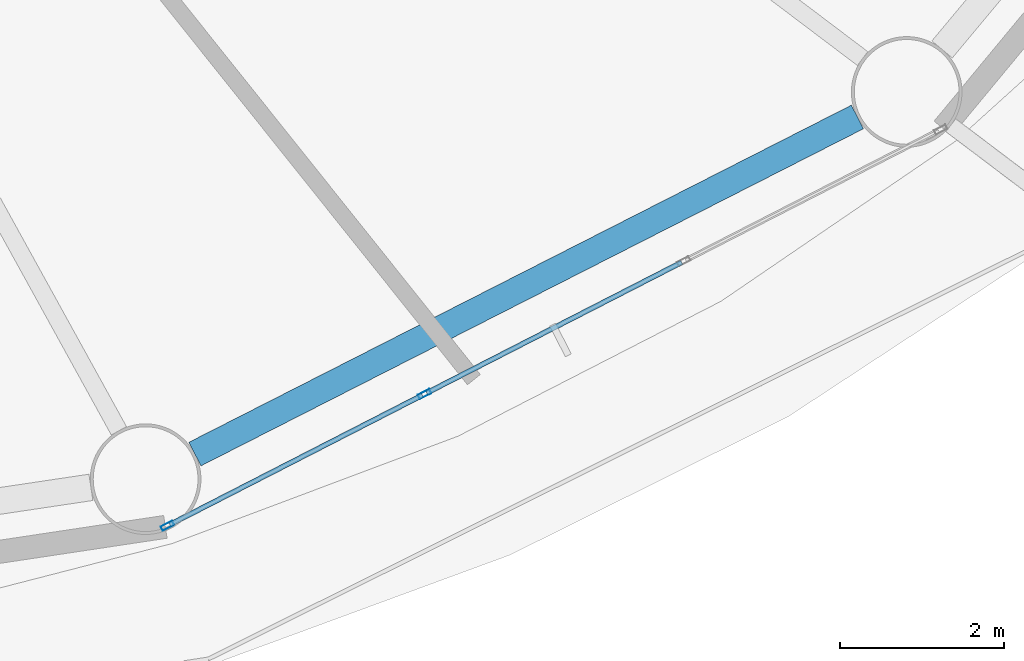
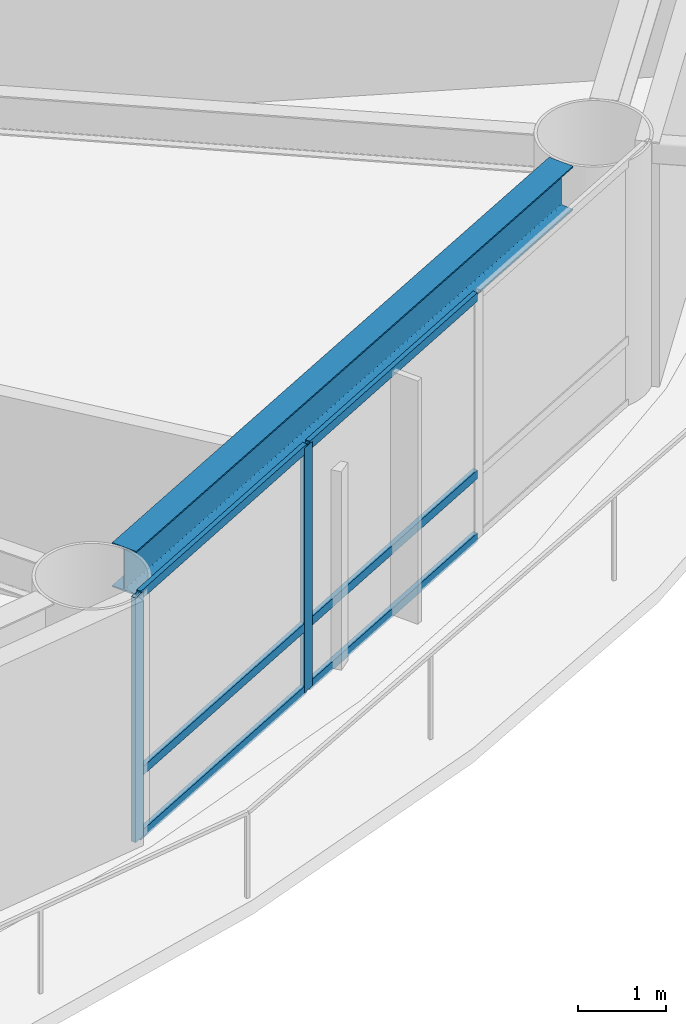
# One storey, part 4 of 24: 8 members, 1 beam, 1 element without a shape of its own.
"""IFC4 building model written with IfcOpenShell, lengths in metres."""

import ifcopenshell
import ifcopenshell.guid

model = None  # the IFC model being written
_history = None  # IfcOwnerHistory: only IFC2X3 demands one
_inside = {}  # id of a spatial element -> (the spatial element, [elements in it])
_under = {}  # id of a project, library or spatial element -> (it, [spatial elements below it])
_declared = {}  # id of a project -> (the project, [libraries it declares])
_typed = {}  # id of a type object -> (the type object, [elements of that type])
_made_of = {}  # id of a material, layer set ... -> (it, [elements and type objects made of it])


def new_model(schema):
    """Start an empty IFC model of exactly this schema.

    Asked for "IFC4X3", IfcOpenShell would pick the latest addendum, in which some entities
    have other attributes; the version numbers below select the first issue.
    IFC2X3 requires an IfcOwnerHistory on every rooted entity: one is made here for all.
    """
    global model, _history
    if schema == "IFC4X3":
        model = ifcopenshell.file(schema_version=(4, 3, 0, 0))
    else:
        model = ifcopenshell.file(schema=schema)
    _inside.clear()
    _under.clear()
    _declared.clear()
    _typed.clear()
    _made_of.clear()
    _history = None
    if model.schema == "IFC2X3":
        org = make("IfcOrganization", Name="unknown")
        user = make(
            "IfcPersonAndOrganization",
            ThePerson=make("IfcPerson", FamilyName="unknown"),
            TheOrganization=org,
        )
        app = make(
            "IfcApplication",
            ApplicationDeveloper=org,
            Version="unknown",
            ApplicationFullName="unknown",
            ApplicationIdentifier="unknown",
        )
        _history = make(
            "IfcOwnerHistory",
            OwningUser=user,
            OwningApplication=app,
            ChangeAction="ADDED",
            CreationDate=0,
        )
    return model


def make(cls, **values):
    """One entity of the class cls with the attributes given. An attribute that is None is left unset."""
    return model.create_entity(
        cls, **{name: value for name, value in values.items() if value is not None}
    )


def rooted(cls, **values):
    """An entity with a GlobalId (a new one), such as an element, a storey or a relation."""
    return make(cls, GlobalId=ifcopenshell.guid.new(), OwnerHistory=_history, **values)


def si_unit(unit_type, name, prefix=None):
    """IfcSIUnit, for example si_unit("LENGTHUNIT", "METRE", prefix="MILLI")."""
    return make("IfcSIUnit", UnitType=unit_type, Prefix=prefix, Name=name)


def assignment(units):
    """IfcUnitAssignment: the units of a project."""
    return None if units is None else make("IfcUnitAssignment", Units=units)


def point(xyz):
    """IfcCartesianPoint."""
    return None if xyz is None else make("IfcCartesianPoint", Coordinates=xyz)


def direction(xyz):
    """IfcDirection."""
    return None if xyz is None else make("IfcDirection", DirectionRatios=xyz)


def frame(location, z_axis=None, x_axis=None):
    """IfcAxis2Placement3D, a coordinate frame: its origin and axes. An axis left out is left unset."""
    return make(
        "IfcAxis2Placement3D",
        Location=point(location),
        Axis=direction(z_axis),
        RefDirection=direction(x_axis),
    )


def frame_2d(location, x_axis=None):
    """IfcAxis2Placement2D, a coordinate frame in the plane: its origin and x axis."""
    return make(
        "IfcAxis2Placement2D", Location=point(location), RefDirection=direction(x_axis)
    )


def origin():
    """The frame at (0, 0, 0) with its axes left unset."""
    return frame((0.0, 0.0, 0.0))


def origin_2d():
    """The frame at (0, 0) in the plane with its x axis left unset."""
    return frame_2d((0.0, 0.0))


def place(relative_to, where):
    """IfcLocalPlacement: puts the frame where relative to a parent placement (None: the world)."""
    return make(
        "IfcLocalPlacement", PlacementRelTo=relative_to, RelativePlacement=where
    )


def context(
    kind, dimensions, precision=None, world=None, true_north=None, identifier=None
):
    """IfcGeometricRepresentationContext, for example the 3D "Model" context."""
    return make(
        "IfcGeometricRepresentationContext",
        ContextIdentifier=identifier,
        ContextType=kind,
        CoordinateSpaceDimension=dimensions,
        Precision=precision,
        WorldCoordinateSystem=world,
        TrueNorth=true_north,
    )


def subcontext(parent, identifier, kind, view, scale=None):
    """IfcGeometricRepresentationSubContext, for example "Body" below "Model"."""
    return make(
        "IfcGeometricRepresentationSubContext",
        ContextIdentifier=identifier,
        ContextType=kind,
        ParentContext=parent,
        TargetScale=scale,
        TargetView=view,
    )


def project(units=None, contexts=None):
    """IfcProject with its units and contexts."""
    return rooted(
        "IfcProject",
        Name="project",
        RepresentationContexts=contexts,
        UnitsInContext=assignment(units),
    )


def spatial(cls, under=None, at=None, **own):
    """A site, building, storey or space (cls), placed at a placement, below another one or the project."""
    s = rooted(cls, ObjectPlacement=at, **own)
    if under is not None:
        _under.setdefault(under.id(), (under, []))[1].append(s)
    return s


def profile(cls, at=None, kind="AREA", **sizes):
    """A parametric profile (cls). Its sizes go by their IFC names, for example OverallWidth=200.0."""
    return make(cls, ProfileType=kind, Position=at, **sizes)


def hollow_rectangle(**sizes):
    """IfcRectangleHollowProfileDef."""
    return profile("IfcRectangleHollowProfileDef", **sizes)


def i_section(**sizes):
    """IfcIShapeProfileDef."""
    return profile("IfcIShapeProfileDef", **sizes)


def extrude(swept, where, along, depth):
    """IfcExtrudedAreaSolid: the profile swept, set in the frame where, extruded along a direction by depth."""
    return make(
        "IfcExtrudedAreaSolid",
        SweptArea=swept,
        Position=where,
        ExtrudedDirection=direction(along),
        Depth=depth,
    )


def shape(context_of_items, identifier, shape_type, items):
    """IfcShapeRepresentation: the items that make up one representation, for example the "Body"."""
    return make(
        "IfcShapeRepresentation",
        ContextOfItems=context_of_items,
        RepresentationIdentifier=identifier,
        RepresentationType=shape_type,
        Items=items,
    )


def material(Name=None, Category=None):
    """IfcMaterial."""
    return make("IfcMaterial", Name=Name, Category=Category)


def layer(
    of_material, thickness, ventilated=None, Name=None, Category=None, Priority=None
):
    """IfcMaterialLayer: one layer of a wall or slab, of a material (None: an air gap)."""
    return make(
        "IfcMaterialLayer",
        Material=of_material,
        LayerThickness=thickness,
        IsVentilated=ventilated,
        Name=Name,
        Category=Category,
        Priority=Priority,
    )


def layer_set(layers, Name=None):
    """IfcMaterialLayerSet."""
    return make("IfcMaterialLayerSet", MaterialLayers=layers, LayerSetName=Name)


def material_profile(
    of_material, cross_section, Name=None, Category=None, Priority=None
):
    """IfcMaterialProfile: a cross section and its material."""
    return make(
        "IfcMaterialProfile",
        Name=Name,
        Material=of_material,
        Profile=cross_section,
        Priority=Priority,
        Category=Category,
    )


def profile_set(profiles, Name=None, composite=None):
    """IfcMaterialProfileSet."""
    return make(
        "IfcMaterialProfileSet",
        Name=Name,
        MaterialProfiles=profiles,
        CompositeProfile=composite,
    )


def made_of(thing, what):
    """Note that an element or type object is made of a material, layer set ...; save() writes the relation."""
    if what is not None:
        _made_of.setdefault(what.id(), (what, []))[1].append(thing)
    return thing


def type_object(cls, material=None, **own):
    """A type object (cls), such as IfcWallType, which elements share."""
    return made_of(rooted(cls, **own), material)


def element(
    cls,
    number,
    at=None,
    inside=None,
    cuts=None,
    type_object=None,
    material=None,
    context=None,
    identifier="Body",
    shape_type=None,
    held_by="IfcProductDefinitionShape",
    body=None,
    shapes=None,
    **own,
):
    """One element of the class cls, such as IfcWall. Its Tag is "e" and its number.

    at: its placement. inside: the storey or other place that contains it. cuts: it is an
    opening in that element (IfcRelVoidsElement). A single representation is given by context,
    identifier, shape_type and body (its items); several are given by shapes. held_by: the class
    of the entity that holds the representations. save() writes the other relations.
    """
    e = rooted(cls, Tag="e%d" % number, ObjectPlacement=at, **own)
    if body is not None:
        shapes = [shape(context, identifier, shape_type, body)]
    if shapes is not None:
        e.Representation = make(held_by, Representations=shapes)
    if inside is not None:
        _inside.setdefault(inside.id(), (inside, []))[1].append(e)
    if cuts is not None:
        rooted(
            "IfcRelVoidsElement", RelatingBuildingElement=cuts, RelatedOpeningElement=e
        )
    if type_object is not None:
        _typed.setdefault(type_object.id(), (type_object, []))[1].append(e)
    return made_of(e, material)


def aggregate(whole, parts):
    """IfcRelAggregates: a whole, such as a stair, and the parts it consists of."""
    return rooted("IfcRelAggregates", RelatingObject=whole, RelatedObjects=parts)


def save(model, path):
    """Write the relations noted so far, then the file.

    IfcRelAggregates (storeys below a building ...), IfcRelContainedInSpatialStructure (elements
    in a storey), IfcRelDefinesByType, IfcRelAssociatesMaterial and IfcRelDeclares: one each for
    every whole, place, type object, material and project.
    """
    for whole, parts in _under.values():
        aggregate(whole, parts)
    for where, things in _inside.values():
        rooted(
            "IfcRelContainedInSpatialStructure",
            RelatedElements=things,
            RelatingStructure=where,
        )
    for kind, things in _typed.values():
        rooted("IfcRelDefinesByType", RelatedObjects=things, RelatingType=kind)
    for what, things in _made_of.values():
        rooted("IfcRelAssociatesMaterial", RelatedObjects=things, RelatingMaterial=what)
    for by, libraries in _declared.values():
        rooted("IfcRelDeclares", RelatingContext=by, RelatedDefinitions=libraries)
    model.write(path)


model = new_model("IFC4")

# Units and contexts
model_context = context("Model", 3, precision=1e-05, world=origin(), true_north=direction((0.0, 1.0)))
body_context = subcontext(model_context, "Body", "Model", "MODEL_VIEW")
ifc_project = project(units=[si_unit("LENGTHUNIT", "METRE"), si_unit("AREAUNIT", "SQUARE_METRE"), si_unit("VOLUMEUNIT", "CUBIC_METRE"), si_unit("PLANEANGLEUNIT", "RADIAN"), si_unit("MASSUNIT", "GRAM", prefix="KILO")], contexts=[model_context])

# Site, building, storey
site_placement = place(None, origin())
site = spatial("IfcSite", under=ifc_project, at=site_placement, CompositionType="ELEMENT")
building_placement = place(site_placement, origin())
building = spatial("IfcBuilding", under=site, at=building_placement, Name="Sarneth Arch Tower", CompositionType="ELEMENT")
storey_placement = place(building_placement, frame((0.0, 0.0, 91.199951171875)))
storey = spatial("IfcBuildingStorey", under=building, at=storey_placement, Name="L22", CompositionType="ELEMENT", Elevation=91.199951171875)

# Beam
ifc_material_1 = material(Name="Steel S355", Category="steel")
ifc_material_profile_1 = material_profile(ifc_material_1, i_section(OverallWidth=0.323974609375, OverallDepth=0.611083984375, WebThickness=0.0126953125, FlangeThickness=0.01904296875, FilletRadius=0.01904296875, at=origin_2d()), Name="W610x155")
ifc_profile_set_1 = profile_set([ifc_material_profile_1], Name="Steel S355")
beam_type = type_object("IfcBeamType", Name="BM-SPAN-610B", PredefinedType="SPANDREL", material=ifc_profile_set_1)
beam_placement = place(storey_placement, frame((59.7119140625, 22.16552734375, 3.074462890625), z_axis=(0.891255891792, 0.453500755619, 0.0), x_axis=(-0.453500755619, 0.891255891792, 0.0)))
element("IfcBeam", 1, at=beam_placement, inside=storey, type_object=beam_type, Name="L22 Perimeter spandrel beam 14", PredefinedType="SPANDREL", context=body_context, shape_type="SweptSolid", body=[
    extrude(i_section(OverallWidth=0.323974609375, OverallDepth=0.611083984375, WebThickness=0.0126953125, FlangeThickness=0.01904296875, FilletRadius=0.01904296875, at=origin_2d()), origin(), (0.0, 0.0, 1.0), 9.070556640625),
])

# Curtain wall, members
ifc_material_2 = material(Name="Anodised aluminium Type AA25 and solar-control low-e laminated IGU", Category="aluminium")
ifc_layer = layer(ifc_material_2, 0.159912109375)
ifc_layer_set = layer_set([ifc_layer], Name="Anodised aluminium Type AA25 and solar-control low-e laminated IGU")
curtain_wall_type = type_object("IfcCurtainWallType", Name="CW-HOTEL-MID", PredefinedType="NOTDEFINED", material=ifc_layer_set)
curtain_wall_placement = place(storey_placement, origin())
curtain_wall = element("IfcCurtainWall", 2, at=curtain_wall_placement, inside=storey, type_object=curtain_wall_type, Name="L22 Unitised curtain wall facet 14", PredefinedType="NOTDEFINED")
ifc_material_3 = material(Name="Anodised Aluminium 6063-T6", Category="aluminium")
ifc_material_profile_2 = material_profile(ifc_material_3, hollow_rectangle(XDim=0.06005859375, YDim=0.159912109375, WallThickness=0.00390625, at=origin_2d()), Name="AL-MULL-160x60x4")
ifc_profile_set_2 = profile_set([ifc_material_profile_2], Name="Anodised Aluminium 6063-T6")
member_type_1 = type_object("IfcMemberType", Name="CW-MULLION", PredefinedType="MULLION", material=ifc_profile_set_2)
member_1_placement = place(storey_placement, frame((59.3779296875, 21.291015625, 0.0), z_axis=(0.0, 0.0, 1.0), x_axis=(-0.456031365356, 0.889963703649, 0.0)))
member_1 = element("IfcMember", 3, at=member_1_placement, type_object=member_type_1, Name="CW-SYS-4 mullion 1", PredefinedType="MULLION", context=body_context, shape_type="SweptSolid", body=[
    extrude(hollow_rectangle(XDim=0.06005859375, YDim=0.159912109375, WallThickness=0.00390625, at=origin_2d()), origin(), (0.0, 0.0, 1.0), 3.380126953125),
])
member_2_placement = place(storey_placement, frame((62.51416015625, 22.898193359375, 0.0), z_axis=(0.0, 0.0, 1.0), x_axis=(-0.456031365356, 0.889963703649, 0.0)))
member_2 = element("IfcMember", 4, at=member_2_placement, type_object=member_type_1, Name="CW-SYS-4 mullion 2", PredefinedType="MULLION", context=body_context, shape_type="SweptSolid", body=[
    extrude(hollow_rectangle(XDim=0.06005859375, YDim=0.159912109375, WallThickness=0.00390625, at=origin_2d()), origin(), (0.0, 0.0, 1.0), 3.380126953125),
])
ifc_material_4 = material(Name="Anodised Aluminium 6063-T6", Category="aluminium")
ifc_material_profile_3 = material_profile(ifc_material_4, hollow_rectangle(XDim=0.06005859375, YDim=0.1201171875, WallThickness=0.00390625, at=origin_2d()), Name="AL-TRAN-120x60x4")
ifc_profile_set_3 = profile_set([ifc_material_profile_3], Name="Anodised Aluminium 6063-T6")
member_type_2 = type_object("IfcMemberType", Name="CW-TRANSOM", PredefinedType="USERDEFINED", material=ifc_profile_set_3)
member_3_placement = place(storey_placement, frame((59.404541015625, 21.3046875, 0.030029296875), z_axis=(0.889957563627, 0.456043347658, 0.0), x_axis=(-0.456043347658, 0.889957563627, 0.0)))
member_3 = element("IfcMember", 5, at=member_3_placement, type_object=member_type_2, Name="CW-SYS-4 transom 1.1", ObjectType="TRANSOM", PredefinedType="USERDEFINED", context=body_context, shape_type="SweptSolid", body=[
    extrude(hollow_rectangle(XDim=0.06005859375, YDim=0.1201171875, WallThickness=0.00390625, at=origin_2d()), origin(), (0.0, 0.0, 1.0), 3.464111328125),
])
member_4_placement = place(storey_placement, frame((59.404541015625, 21.3046875, 0.900146484375), z_axis=(0.889957563627, 0.456043347658, 0.0), x_axis=(-0.456043347658, 0.889957563627, 0.0)))
member_4 = element("IfcMember", 6, at=member_4_placement, type_object=member_type_2, Name="CW-SYS-4 transom 1.2", ObjectType="TRANSOM", PredefinedType="USERDEFINED", context=body_context, shape_type="SweptSolid", body=[
    extrude(hollow_rectangle(XDim=0.06005859375, YDim=0.1201171875, WallThickness=0.00390625, at=origin_2d()), origin(), (0.0, 0.0, 1.0), 3.464111328125),
])
member_5_placement = place(storey_placement, frame((59.404541015625, 21.3046875, 3.35009765625), z_axis=(0.889957563627, 0.456043347658, 0.0), x_axis=(-0.456043347658, 0.889957563627, 0.0)))
member_5 = element("IfcMember", 7, at=member_5_placement, type_object=member_type_2, Name="CW-SYS-4 transom 1.3", ObjectType="TRANSOM", PredefinedType="USERDEFINED", context=body_context, shape_type="SweptSolid", body=[
    extrude(hollow_rectangle(XDim=0.06005859375, YDim=0.1201171875, WallThickness=0.00390625, at=origin_2d()), origin(), (0.0, 0.0, 1.0), 3.464111328125),
])
member_6_placement = place(storey_placement, frame((62.540771484375, 22.911865234375, 0.030029296875), z_axis=(0.889981813856, 0.455996020823, 0.0), x_axis=(-0.455996020823, 0.889981813856, 0.0)))
member_6 = element("IfcMember", 8, at=member_6_placement, type_object=member_type_2, Name="CW-SYS-4 transom 2.1", ObjectType="TRANSOM", PredefinedType="USERDEFINED", context=body_context, shape_type="SweptSolid", body=[
    extrude(hollow_rectangle(XDim=0.06005859375, YDim=0.1201171875, WallThickness=0.00390625, at=origin_2d()), origin(), (0.0, 0.0, 1.0), 3.494140625),
])
member_7_placement = place(storey_placement, frame((62.540771484375, 22.911865234375, 0.900146484375), z_axis=(0.889981813856, 0.455996020823, 0.0), x_axis=(-0.455996020823, 0.889981813856, 0.0)))
member_7 = element("IfcMember", 9, at=member_7_placement, type_object=member_type_2, Name="CW-SYS-4 transom 2.2", ObjectType="TRANSOM", PredefinedType="USERDEFINED", context=body_context, shape_type="SweptSolid", body=[
    extrude(hollow_rectangle(XDim=0.06005859375, YDim=0.1201171875, WallThickness=0.00390625, at=origin_2d()), origin(), (0.0, 0.0, 1.0), 3.494140625),
])
member_8_placement = place(storey_placement, frame((62.540771484375, 22.911865234375, 3.35009765625), z_axis=(0.889981813856, 0.455996020823, 0.0), x_axis=(-0.455996020823, 0.889981813856, 0.0)))
member_8 = element("IfcMember", 10, at=member_8_placement, type_object=member_type_2, Name="CW-SYS-4 transom 2.3", ObjectType="TRANSOM", PredefinedType="USERDEFINED", context=body_context, shape_type="SweptSolid", body=[
    extrude(hollow_rectangle(XDim=0.06005859375, YDim=0.1201171875, WallThickness=0.00390625, at=origin_2d()), origin(), (0.0, 0.0, 1.0), 3.494140625),
])
aggregate(curtain_wall, [member_1, member_2, member_3, member_4, member_5, member_6, member_7, member_8])

save(model, "model.ifc")
